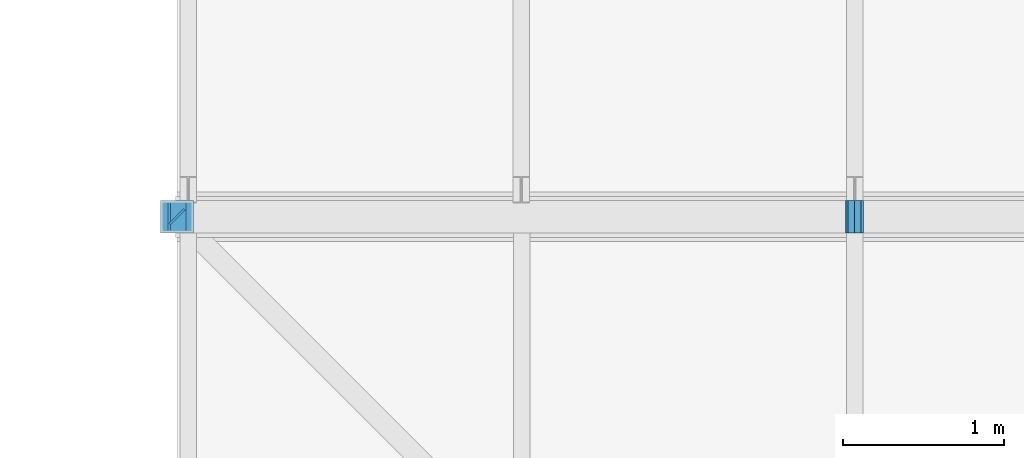
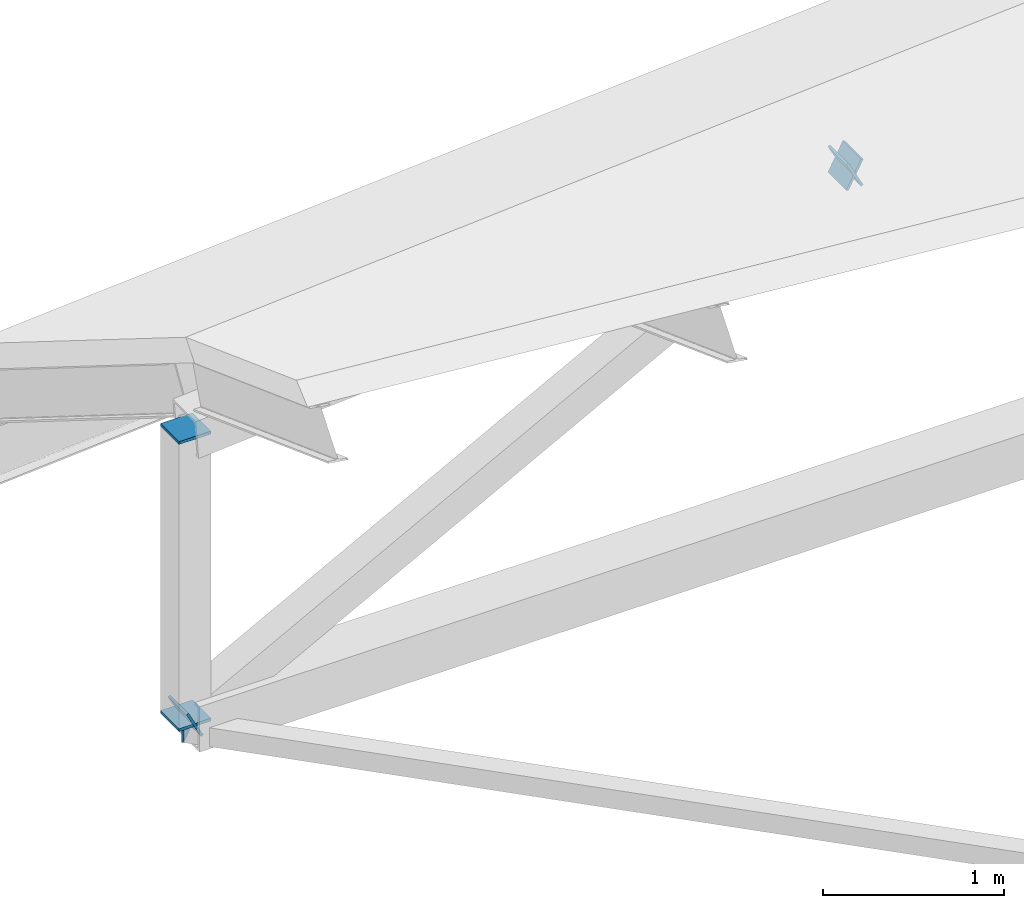
# One storey, part 61 of 76: 6 discrete accessories.
"""IFC4 building model written with IfcOpenShell, lengths in metres."""

import ifcopenshell
import ifcopenshell.guid

model = None  # the IFC model being written
_history = None  # IfcOwnerHistory: only IFC2X3 demands one
_inside = {}  # id of a spatial element -> (the spatial element, [elements in it])
_under = {}  # id of a project, library or spatial element -> (it, [spatial elements below it])
_declared = {}  # id of a project -> (the project, [libraries it declares])
_typed = {}  # id of a type object -> (the type object, [elements of that type])
_made_of = {}  # id of a material, layer set ... -> (it, [elements and type objects made of it])


def new_model(schema):
    """Start an empty IFC model of exactly this schema.

    Asked for "IFC4X3", IfcOpenShell would pick the latest addendum, in which some entities
    have other attributes; the version numbers below select the first issue.
    IFC2X3 requires an IfcOwnerHistory on every rooted entity: one is made here for all.
    """
    global model, _history
    if schema == "IFC4X3":
        model = ifcopenshell.file(schema_version=(4, 3, 0, 0))
    else:
        model = ifcopenshell.file(schema=schema)
    _inside.clear()
    _under.clear()
    _declared.clear()
    _typed.clear()
    _made_of.clear()
    _history = None
    if model.schema == "IFC2X3":
        org = make("IfcOrganization", Name="unknown")
        user = make(
            "IfcPersonAndOrganization",
            ThePerson=make("IfcPerson", FamilyName="unknown"),
            TheOrganization=org,
        )
        app = make(
            "IfcApplication",
            ApplicationDeveloper=org,
            Version="unknown",
            ApplicationFullName="unknown",
            ApplicationIdentifier="unknown",
        )
        _history = make(
            "IfcOwnerHistory",
            OwningUser=user,
            OwningApplication=app,
            ChangeAction="ADDED",
            CreationDate=0,
        )
    return model


def make(cls, **values):
    """One entity of the class cls with the attributes given. An attribute that is None is left unset."""
    return model.create_entity(
        cls, **{name: value for name, value in values.items() if value is not None}
    )


def rooted(cls, **values):
    """An entity with a GlobalId (a new one), such as an element, a storey or a relation."""
    return make(cls, GlobalId=ifcopenshell.guid.new(), OwnerHistory=_history, **values)


def si_unit(unit_type, name, prefix=None):
    """IfcSIUnit, for example si_unit("LENGTHUNIT", "METRE", prefix="MILLI")."""
    return make("IfcSIUnit", UnitType=unit_type, Prefix=prefix, Name=name)


def assignment(units):
    """IfcUnitAssignment: the units of a project."""
    return None if units is None else make("IfcUnitAssignment", Units=units)


def point(xyz):
    """IfcCartesianPoint."""
    return None if xyz is None else make("IfcCartesianPoint", Coordinates=xyz)


def direction(xyz):
    """IfcDirection."""
    return None if xyz is None else make("IfcDirection", DirectionRatios=xyz)


def frame(location, z_axis=None, x_axis=None):
    """IfcAxis2Placement3D, a coordinate frame: its origin and axes. An axis left out is left unset."""
    return make(
        "IfcAxis2Placement3D",
        Location=point(location),
        Axis=direction(z_axis),
        RefDirection=direction(x_axis),
    )


def frame_2d(location, x_axis=None):
    """IfcAxis2Placement2D, a coordinate frame in the plane: its origin and x axis."""
    return make(
        "IfcAxis2Placement2D", Location=point(location), RefDirection=direction(x_axis)
    )


def origin():
    """The frame at (0, 0, 0) with its axes left unset."""
    return frame((0.0, 0.0, 0.0))


def origin_2d():
    """The frame at (0, 0) in the plane with its x axis left unset."""
    return frame_2d((0.0, 0.0))


def place(relative_to, where):
    """IfcLocalPlacement: puts the frame where relative to a parent placement (None: the world)."""
    return make(
        "IfcLocalPlacement", PlacementRelTo=relative_to, RelativePlacement=where
    )


def context(
    kind, dimensions, precision=None, world=None, true_north=None, identifier=None
):
    """IfcGeometricRepresentationContext, for example the 3D "Model" context."""
    return make(
        "IfcGeometricRepresentationContext",
        ContextIdentifier=identifier,
        ContextType=kind,
        CoordinateSpaceDimension=dimensions,
        Precision=precision,
        WorldCoordinateSystem=world,
        TrueNorth=true_north,
    )


def subcontext(parent, identifier, kind, view, scale=None):
    """IfcGeometricRepresentationSubContext, for example "Body" below "Model"."""
    return make(
        "IfcGeometricRepresentationSubContext",
        ContextIdentifier=identifier,
        ContextType=kind,
        ParentContext=parent,
        TargetScale=scale,
        TargetView=view,
    )


def project(units=None, contexts=None):
    """IfcProject with its units and contexts."""
    return rooted(
        "IfcProject",
        Name="project",
        RepresentationContexts=contexts,
        UnitsInContext=assignment(units),
    )


def spatial(cls, under=None, at=None, **own):
    """A site, building, storey or space (cls), placed at a placement, below another one or the project."""
    s = rooted(cls, ObjectPlacement=at, **own)
    if under is not None:
        _under.setdefault(under.id(), (under, []))[1].append(s)
    return s


def profile(cls, at=None, kind="AREA", **sizes):
    """A parametric profile (cls). Its sizes go by their IFC names, for example OverallWidth=200.0."""
    return make(cls, ProfileType=kind, Position=at, **sizes)


def rectangle(**sizes):
    """IfcRectangleProfileDef."""
    return profile("IfcRectangleProfileDef", **sizes)


def extrude(swept, where, along, depth):
    """IfcExtrudedAreaSolid: the profile swept, set in the frame where, extruded along a direction by depth."""
    return make(
        "IfcExtrudedAreaSolid",
        SweptArea=swept,
        Position=where,
        ExtrudedDirection=direction(along),
        Depth=depth,
    )


def shape(context_of_items, identifier, shape_type, items):
    """IfcShapeRepresentation: the items that make up one representation, for example the "Body"."""
    return make(
        "IfcShapeRepresentation",
        ContextOfItems=context_of_items,
        RepresentationIdentifier=identifier,
        RepresentationType=shape_type,
        Items=items,
    )


def material(Name=None, Category=None):
    """IfcMaterial."""
    return make("IfcMaterial", Name=Name, Category=Category)


def made_of(thing, what):
    """Note that an element or type object is made of a material, layer set ...; save() writes the relation."""
    if what is not None:
        _made_of.setdefault(what.id(), (what, []))[1].append(thing)
    return thing


def element(
    cls,
    number,
    at=None,
    inside=None,
    cuts=None,
    type_object=None,
    material=None,
    context=None,
    identifier="Body",
    shape_type=None,
    held_by="IfcProductDefinitionShape",
    body=None,
    shapes=None,
    **own,
):
    """One element of the class cls, such as IfcWall. Its Tag is "e" and its number.

    at: its placement. inside: the storey or other place that contains it. cuts: it is an
    opening in that element (IfcRelVoidsElement). A single representation is given by context,
    identifier, shape_type and body (its items); several are given by shapes. held_by: the class
    of the entity that holds the representations. save() writes the other relations.
    """
    e = rooted(cls, Tag="e%d" % number, ObjectPlacement=at, **own)
    if body is not None:
        shapes = [shape(context, identifier, shape_type, body)]
    if shapes is not None:
        e.Representation = make(held_by, Representations=shapes)
    if inside is not None:
        _inside.setdefault(inside.id(), (inside, []))[1].append(e)
    if cuts is not None:
        rooted(
            "IfcRelVoidsElement", RelatingBuildingElement=cuts, RelatedOpeningElement=e
        )
    if type_object is not None:
        _typed.setdefault(type_object.id(), (type_object, []))[1].append(e)
    return made_of(e, material)


def aggregate(whole, parts):
    """IfcRelAggregates: a whole, such as a stair, and the parts it consists of."""
    return rooted("IfcRelAggregates", RelatingObject=whole, RelatedObjects=parts)


def save(model, path):
    """Write the relations noted so far, then the file.

    IfcRelAggregates (storeys below a building ...), IfcRelContainedInSpatialStructure (elements
    in a storey), IfcRelDefinesByType, IfcRelAssociatesMaterial and IfcRelDeclares: one each for
    every whole, place, type object, material and project.
    """
    for whole, parts in _under.values():
        aggregate(whole, parts)
    for where, things in _inside.values():
        rooted(
            "IfcRelContainedInSpatialStructure",
            RelatedElements=things,
            RelatingStructure=where,
        )
    for kind, things in _typed.values():
        rooted("IfcRelDefinesByType", RelatedObjects=things, RelatingType=kind)
    for what, things in _made_of.values():
        rooted("IfcRelAssociatesMaterial", RelatedObjects=things, RelatingMaterial=what)
    for by, libraries in _declared.values():
        rooted("IfcRelDeclares", RelatingContext=by, RelatedDefinitions=libraries)
    model.write(path)


model = new_model("IFC4")

# Units and contexts
model_context = context("Model", 3, precision=1e-05, world=origin(), true_north=direction((0.0, 1.0)))
body_context = subcontext(model_context, "Body", "Model", "MODEL_VIEW")
ifc_project = project(units=[si_unit("LENGTHUNIT", "METRE"), si_unit("AREAUNIT", "SQUARE_METRE"), si_unit("VOLUMEUNIT", "CUBIC_METRE"), si_unit("PLANEANGLEUNIT", "RADIAN"), si_unit("MASSUNIT", "GRAM", prefix="KILO")], contexts=[model_context])

# Site, building, storey
site_placement = place(None, origin())
site = spatial("IfcSite", under=ifc_project, at=site_placement, CompositionType="ELEMENT")
building_placement = place(site_placement, origin())
building = spatial("IfcBuilding", under=site, at=building_placement, Name="Hlaing Beacon Police Headquarters", CompositionType="ELEMENT")
storey_placement = place(building_placement, frame((0.0, 0.0, 18.89990234375)))
storey = spatial("IfcBuildingStorey", under=building, at=storey_placement, Name="L04", CompositionType="ELEMENT", Elevation=18.89990234375)

# Discrete accessories
ifc_material = material(Name="Steel ASTM A572 Grade 50", Category="steel")
for number, where, z_axis, x_axis, name in (
    (1, (33.60009765625, 92.39990234375, -2.53759765625), (0.0, 0.0, -1.0), (1.0, 0.0, 0.0), "Gusset plate GP-467"),
    (2, (33.60009765625, 92.39990234375, -0.625732421875), (0.0, 0.0, 1.0), (1.0, 0.0, 0.0), "Gusset plate GP-468"),
):
    element("IfcDiscreteAccessory", number, at=place(storey_placement, frame(where, z_axis=z_axis, x_axis=x_axis)), inside=storey, material=ifc_material, Name=name, PredefinedType="BRACKET", context=body_context, shape_type="SweptSolid", body=[
        extrude(rectangle(XDim=0.203125, YDim=0.203125, at=origin_2d()), origin(), (0.0, 0.0, 1.0), 0.02001953125),
    ])
for number, where, z_axis, x_axis, name in (
    (3, (33.607177734375, 92.39990234375, -2.5439453125), (-0.883053903014, 0.0, -0.469271567828), (0.0, -1.0, 0.0), "Gusset plate GP-477"),
    (4, (37.79296875, 92.39990234375, -0.3193359375), (0.883053903014, 0.0, 0.469271567828), (0.0, 1.0, 0.0), "Gusset plate GP-478"),
    (5, (37.80712890625, 92.39990234375, -0.3193359375), (-0.883053903014, 0.0, 0.469271567828), (0.0, -1.0, 0.0), "Gusset plate GP-479"),
):
    element("IfcDiscreteAccessory", number, at=place(storey_placement, frame(where, z_axis=z_axis, x_axis=x_axis)), inside=storey, material=ifc_material, Name=name, PredefinedType="BRACKET", context=body_context, shape_type="SweptSolid", body=[
        extrude(rectangle(XDim=0.203125, YDim=0.203125, at=origin_2d()), origin(), (0.0, 0.0, 1.0), 0.01611328125),
    ])
discrete_accessory_placement = place(storey_placement, frame((33.604248046875, 92.395751953125, -2.62109375), z_axis=(-0.707106781187, 0.707106781187, 0.0), x_axis=(-0.707106781187, -0.707106781187, 0.0)))
element("IfcDiscreteAccessory", 6, at=discrete_accessory_placement, inside=storey, material=ifc_material, Name="Gusset plate GP-511", PredefinedType="BRACKET", context=body_context, shape_type="SweptSolid", body=[
    extrude(rectangle(XDim=0.126953125, YDim=0.126953125, at=origin_2d()), origin(), (0.0, 0.0, 1.0), 0.011962890625),
])

save(model, "model.ifc")
